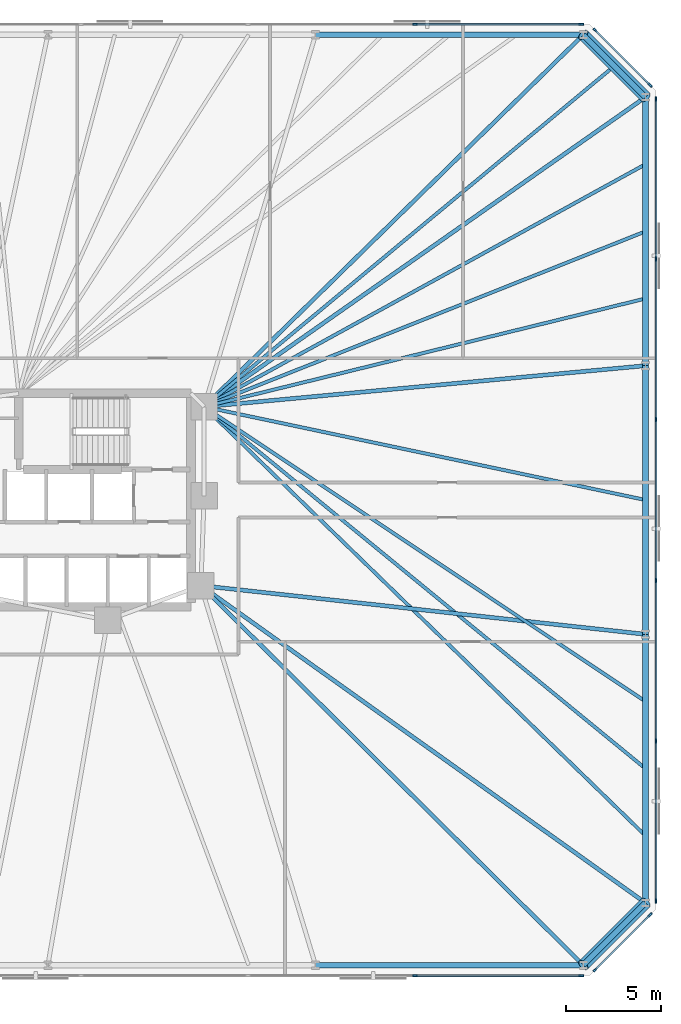
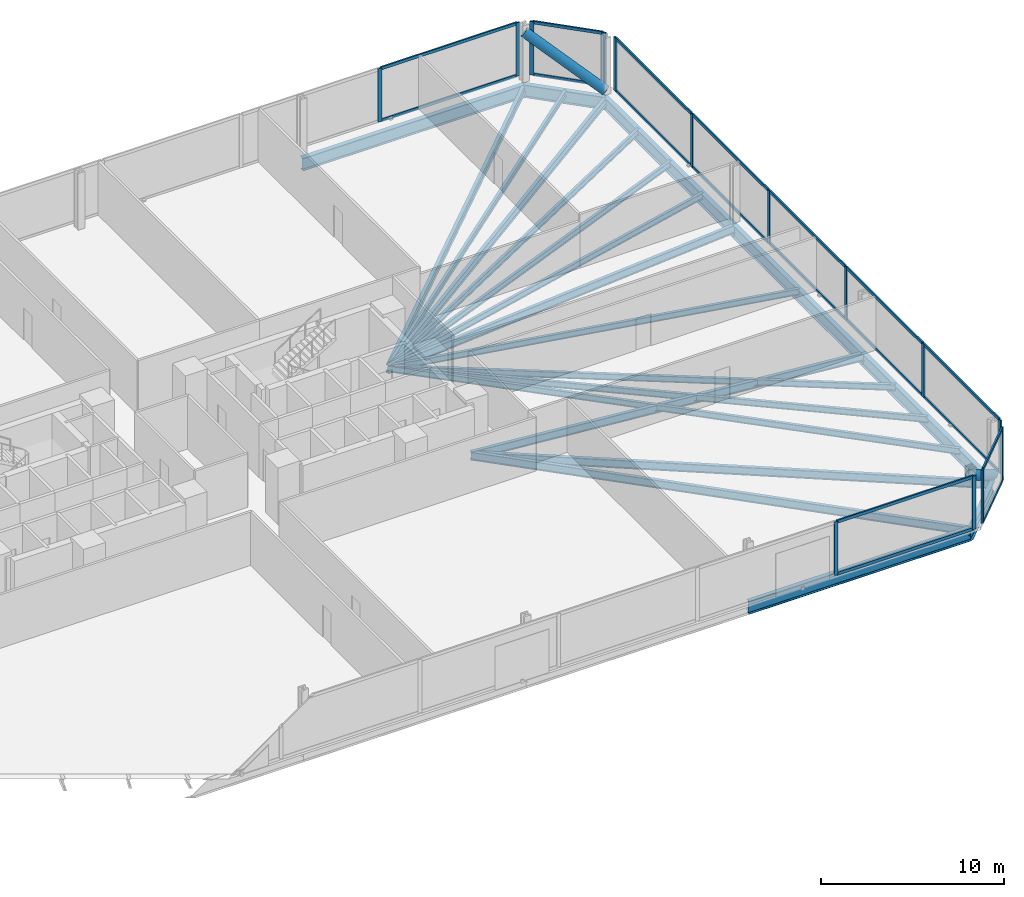
# One storey, part 10 of 16: 34 members, 21 beams, 5 elements without a shape of their own.
"""IFC4 building model written with IfcOpenShell, lengths in metres."""

from ifc_helpers import new_model, si_unit, direction, frame, origin, origin_2d, place, context, subcontext, project, spatial, rectangle, hollow_circle, i_section, extrude, material, material_profile, profile_set, type_object, element, aggregate, save


model = new_model("IFC4")

# Units and contexts
model_context = context("Model", 3, precision=1e-05, world=origin(), true_north=direction((0.0, 1.0)))
body_context = subcontext(model_context, "Body", "Model", "MODEL_VIEW")
ifc_project = project(units=[si_unit("LENGTHUNIT", "METRE"), si_unit("AREAUNIT", "SQUARE_METRE"), si_unit("VOLUMEUNIT", "CUBIC_METRE"), si_unit("PLANEANGLEUNIT", "RADIAN"), si_unit("MASSUNIT", "GRAM", prefix="KILO")], contexts=[model_context])

# Site, building, storey
site_placement = place(None, origin())
site = spatial("IfcSite", under=ifc_project, at=site_placement, CompositionType="ELEMENT")
building_placement = place(site_placement, origin())
building = spatial("IfcBuilding", under=site, at=building_placement, Name="Menara Jurai Vektor", CompositionType="ELEMENT")
storey_placement = place(building_placement, frame((0.0, 0.0, 59.800048828125)))
storey = spatial("IfcBuildingStorey", under=building, at=storey_placement, Name="L14", CompositionType="ELEMENT", Elevation=59.800048828125)

# Curtain wall, members
ifc_material_1 = material(Name="Anodised Pale Aluminium & Low-E Double Glazing", Category="aluminium")
curtain_wall_type = type_object("IfcCurtainWallType", Name="CW-BLK1", PredefinedType="NOTDEFINED", material=ifc_material_1)
curtain_wall_1_placement = place(storey_placement, origin())
curtain_wall_1 = element("IfcCurtainWall", 1, at=curtain_wall_1_placement, inside=storey, type_object=curtain_wall_type, Name="Unitised Curtain Wall L14 F01", PredefinedType="NOTDEFINED")
ifc_material_2 = material(Name="Anodised Pale Aluminium Mullion", Category="aluminium")
ifc_material_profile_1 = material_profile(ifc_material_2, rectangle(XDim=0.094970703125, YDim=0.239990234375, at=origin_2d()), Name="ALU MUL 95x240")
ifc_profile_set_1 = profile_set([ifc_material_profile_1], Name="Anodised Pale Aluminium Mullion")
member_type_1 = type_object("IfcMemberType", Name="CW-BLK1-MUL", PredefinedType="MULLION", material=ifc_profile_set_1)
member_1_placement = place(storey_placement, frame((26.340087890625, -25.0, 0.0), z_axis=(0.0, 0.0, 1.0), x_axis=(0.0, 1.0, 0.0)))
member_1 = element("IfcMember", 2, at=member_1_placement, type_object=member_type_1, Name="CW-01 mullion 8", PredefinedType="MULLION", context=body_context, shape_type="SweptSolid", body=[
    extrude(rectangle(XDim=0.094970703125, YDim=0.239990234375, at=origin_2d()), origin(), (0.0, 0.0, 1.0), 3.574951171875),
])
member_2_placement = place(storey_placement, frame((35.072509765625, -25.0, 0.0), z_axis=(0.0, 0.0, 1.0), x_axis=(0.0, 1.0, 0.0)))
member_2 = element("IfcMember", 3, at=member_2_placement, type_object=member_type_1, Name="CW-01 mullion 9", PredefinedType="MULLION", context=body_context, shape_type="SweptSolid", body=[
    extrude(rectangle(XDim=0.094970703125, YDim=0.239990234375, at=origin_2d()), origin(), (0.0, 0.0, 1.0), 3.574951171875),
])

curtain_wall_2_placement = place(storey_placement, origin())
curtain_wall_2 = element("IfcCurtainWall", 4, at=curtain_wall_2_placement, inside=storey, type_object=curtain_wall_type, Name="Unitised Curtain Wall L14 F02", PredefinedType="NOTDEFINED")
member_3_placement = place(storey_placement, frame((35.80224609375, -24.69775390625, 0.0), z_axis=(0.0, 0.0, 1.0), x_axis=(-0.707106781187, 0.707106781187, 0.0)))
member_3 = element("IfcMember", 5, at=member_3_placement, type_object=member_type_1, Name="CW-01 mullion 1", PredefinedType="MULLION", context=body_context, shape_type="SweptSolid", body=[
    extrude(rectangle(XDim=0.094970703125, YDim=0.239990234375, at=origin_2d()), origin(), (0.0, 0.0, 1.0), 3.574951171875),
])
member_4_placement = place(storey_placement, frame((38.69775390625, -21.80224609375, 0.0), z_axis=(0.0, 0.0, 1.0), x_axis=(-0.707106781187, 0.707106781187, 0.0)))
member_4 = element("IfcMember", 6, at=member_4_placement, type_object=member_type_1, Name="CW-01 mullion 2", PredefinedType="MULLION", context=body_context, shape_type="SweptSolid", body=[
    extrude(rectangle(XDim=0.094970703125, YDim=0.239990234375, at=origin_2d()), origin(), (0.0, 0.0, 1.0), 3.574951171875),
])

curtain_wall_3_placement = place(storey_placement, origin())
curtain_wall_3 = element("IfcCurtainWall", 7, at=curtain_wall_3_placement, inside=storey, type_object=curtain_wall_type, Name="Unitised Curtain Wall L14 F03", PredefinedType="NOTDEFINED")
member_5_placement = place(storey_placement, frame((39.0, -21.072509765625, 0.0), z_axis=(0.0, 0.0, 1.0), x_axis=(-1.0, 0.0, 0.0)))
member_5 = element("IfcMember", 8, at=member_5_placement, type_object=member_type_1, Name="CW-01 mullion 1", PredefinedType="MULLION", context=body_context, shape_type="SweptSolid", body=[
    extrude(rectangle(XDim=0.094970703125, YDim=0.239990234375, at=origin_2d()), origin(), (0.0, 0.0, 1.0), 3.574951171875),
])
member_6_placement = place(storey_placement, frame((39.0, -12.672119140625, 0.0), z_axis=(0.0, 0.0, 1.0), x_axis=(-1.0, 0.0, 0.0)))
member_6 = element("IfcMember", 9, at=member_6_placement, type_object=member_type_1, Name="CW-01 mullion 2", PredefinedType="MULLION", context=body_context, shape_type="SweptSolid", body=[
    extrude(rectangle(XDim=0.094970703125, YDim=0.239990234375, at=origin_2d()), origin(), (0.0, 0.0, 1.0), 3.574951171875),
])
member_7_placement = place(storey_placement, frame((39.0, -4.22412109375, 0.0), z_axis=(0.0, 0.0, 1.0), x_axis=(-1.0, 0.0, 0.0)))
member_7 = element("IfcMember", 10, at=member_7_placement, type_object=member_type_1, Name="CW-01 mullion 3", PredefinedType="MULLION", context=body_context, shape_type="SweptSolid", body=[
    extrude(rectangle(XDim=0.094970703125, YDim=0.239990234375, at=origin_2d()), origin(), (0.0, 0.0, 1.0), 3.574951171875),
])
member_8_placement = place(storey_placement, frame((39.0, 4.22412109375, 0.0), z_axis=(0.0, 0.0, 1.0), x_axis=(-1.0, 0.0, 0.0)))
member_8 = element("IfcMember", 11, at=member_8_placement, type_object=member_type_1, Name="CW-01 mullion 4", PredefinedType="MULLION", context=body_context, shape_type="SweptSolid", body=[
    extrude(rectangle(XDim=0.094970703125, YDim=0.239990234375, at=origin_2d()), origin(), (0.0, 0.0, 1.0), 3.574951171875),
])
member_9_placement = place(storey_placement, frame((39.0, 12.672119140625, 0.0), z_axis=(0.0, 0.0, 1.0), x_axis=(-1.0, 0.0, 0.0)))
member_9 = element("IfcMember", 12, at=member_9_placement, type_object=member_type_1, Name="CW-01 mullion 5", PredefinedType="MULLION", context=body_context, shape_type="SweptSolid", body=[
    extrude(rectangle(XDim=0.094970703125, YDim=0.239990234375, at=origin_2d()), origin(), (0.0, 0.0, 1.0), 3.574951171875),
])
member_10_placement = place(storey_placement, frame((39.0, 21.072509765625, 0.0), z_axis=(0.0, 0.0, 1.0), x_axis=(-1.0, 0.0, 0.0)))
member_10 = element("IfcMember", 13, at=member_10_placement, type_object=member_type_1, Name="CW-01 mullion 6", PredefinedType="MULLION", context=body_context, shape_type="SweptSolid", body=[
    extrude(rectangle(XDim=0.094970703125, YDim=0.239990234375, at=origin_2d()), origin(), (0.0, 0.0, 1.0), 3.574951171875),
])

curtain_wall_4_placement = place(storey_placement, origin())
curtain_wall_4 = element("IfcCurtainWall", 14, at=curtain_wall_4_placement, inside=storey, type_object=curtain_wall_type, Name="Unitised Curtain Wall L14 F04", PredefinedType="NOTDEFINED")
member_11_placement = place(storey_placement, frame((38.69775390625, 21.80224609375, 0.0), z_axis=(0.0, 0.0, 1.0), x_axis=(-0.707106781187, -0.707106781187, 0.0)))
member_11 = element("IfcMember", 15, at=member_11_placement, type_object=member_type_1, Name="CW-01 mullion 1", PredefinedType="MULLION", context=body_context, shape_type="SweptSolid", body=[
    extrude(rectangle(XDim=0.094970703125, YDim=0.239990234375, at=origin_2d()), origin(), (0.0, 0.0, 1.0), 3.574951171875),
])
member_12_placement = place(storey_placement, frame((35.80224609375, 24.69775390625, 0.0), z_axis=(0.0, 0.0, 1.0), x_axis=(-0.707106781187, -0.707106781187, 0.0)))
member_12 = element("IfcMember", 16, at=member_12_placement, type_object=member_type_1, Name="CW-01 mullion 2", PredefinedType="MULLION", context=body_context, shape_type="SweptSolid", body=[
    extrude(rectangle(XDim=0.094970703125, YDim=0.239990234375, at=origin_2d()), origin(), (0.0, 0.0, 1.0), 3.574951171875),
])

curtain_wall_5_placement = place(storey_placement, origin())
curtain_wall_5 = element("IfcCurtainWall", 17, at=curtain_wall_5_placement, inside=storey, type_object=curtain_wall_type, Name="Unitised Curtain Wall L14 F05", PredefinedType="NOTDEFINED")
member_13_placement = place(storey_placement, frame((35.072509765625, 25.0, 0.0), z_axis=(0.0, 0.0, 1.0), x_axis=(0.0, -1.0, 0.0)))
member_13 = element("IfcMember", 18, at=member_13_placement, type_object=member_type_1, Name="CW-01 mullion 1", PredefinedType="MULLION", context=body_context, shape_type="SweptSolid", body=[
    extrude(rectangle(XDim=0.094970703125, YDim=0.239990234375, at=origin_2d()), origin(), (0.0, 0.0, 1.0), 3.574951171875),
])
member_14_placement = place(storey_placement, frame((26.340087890625, 25.0, 0.0), z_axis=(0.0, 0.0, 1.0), x_axis=(0.0, -1.0, 0.0)))
member_14 = element("IfcMember", 19, at=member_14_placement, type_object=member_type_1, Name="CW-01 mullion 2", PredefinedType="MULLION", context=body_context, shape_type="SweptSolid", body=[
    extrude(rectangle(XDim=0.094970703125, YDim=0.239990234375, at=origin_2d()), origin(), (0.0, 0.0, 1.0), 3.574951171875),
])

# Member
ifc_material_3 = material(Name="Anodised Pale Aluminium Transom", Category="aluminium")
ifc_material_profile_2 = material_profile(ifc_material_3, rectangle(XDim=0.094970703125, YDim=0.199951171875, at=origin_2d()), Name="ALU TRN 95x200")
ifc_profile_set_2 = profile_set([ifc_material_profile_2], Name="Anodised Pale Aluminium Transom")
member_type_2 = type_object("IfcMemberType", Name="CW-BLK1-TRN", PredefinedType="USERDEFINED", material=ifc_profile_set_2)
member_15_placement = place(storey_placement, frame((26.387451171875, -25.0, 0.04736328125), z_axis=(1.0, 0.0, 0.0), x_axis=(0.0, 1.0, 0.0)))
member_15 = element("IfcMember", 20, at=member_15_placement, type_object=member_type_2, Name="CW-01 transom 8.1", ObjectType="TRANSOM", PredefinedType="USERDEFINED", context=body_context, shape_type="SweptSolid", body=[
    extrude(rectangle(XDim=0.094970703125, YDim=0.199951171875, at=origin_2d()), origin(), (0.0, 0.0, 1.0), 8.637451171875),
])

member_16_placement = place(storey_placement, frame((26.387451171875, -25.0, 3.52734375), z_axis=(1.0, 0.0, 0.0), x_axis=(0.0, 1.0, 0.0)))
member_16 = element("IfcMember", 21, at=member_16_placement, type_object=member_type_2, Name="CW-01 transom 8.2", ObjectType="TRANSOM", PredefinedType="USERDEFINED", context=body_context, shape_type="SweptSolid", body=[
    extrude(rectangle(XDim=0.094970703125, YDim=0.199951171875, at=origin_2d()), origin(), (0.0, 0.0, 1.0), 8.637451171875),
])

aggregate(curtain_wall_1, [member_1, member_2, member_15, member_16])

member_17_placement = place(storey_placement, frame((35.8359375, -24.6640625, 0.04736328125), z_axis=(0.707106781187, 0.707106781187, 0.0), x_axis=(-0.707106781187, 0.707106781187, 0.0)))
member_17 = element("IfcMember", 22, at=member_17_placement, type_object=member_type_2, Name="CW-01 transom 1.1", ObjectType="TRANSOM", PredefinedType="USERDEFINED", context=body_context, shape_type="SweptSolid", body=[
    extrude(rectangle(XDim=0.094970703125, YDim=0.199951171875, at=origin_2d()), origin(), (0.0, 0.0, 1.0), 3.99951171875),
])

member_18_placement = place(storey_placement, frame((35.8359375, -24.6640625, 3.52734375), z_axis=(0.707106781187, 0.707106781187, 0.0), x_axis=(-0.707106781187, 0.707106781187, 0.0)))
member_18 = element("IfcMember", 23, at=member_18_placement, type_object=member_type_2, Name="CW-01 transom 1.2", ObjectType="TRANSOM", PredefinedType="USERDEFINED", context=body_context, shape_type="SweptSolid", body=[
    extrude(rectangle(XDim=0.094970703125, YDim=0.199951171875, at=origin_2d()), origin(), (0.0, 0.0, 1.0), 3.99951171875),
])

aggregate(curtain_wall_2, [member_3, member_4, member_17, member_18])

member_19_placement = place(storey_placement, frame((39.0, -21.02490234375, 0.04736328125), z_axis=(0.0, 1.0, 0.0), x_axis=(-1.0, 0.0, 0.0)))
member_19 = element("IfcMember", 24, at=member_19_placement, type_object=member_type_2, Name="CW-01 transom 1.1", ObjectType="TRANSOM", PredefinedType="USERDEFINED", context=body_context, shape_type="SweptSolid", body=[
    extrude(rectangle(XDim=0.094970703125, YDim=0.199951171875, at=origin_2d()), origin(), (0.0, 0.0, 1.0), 8.305419921875),
])

member_20_placement = place(storey_placement, frame((39.0, -21.02490234375, 3.52734375), z_axis=(0.0, 1.0, 0.0), x_axis=(-1.0, 0.0, 0.0)))
member_20 = element("IfcMember", 25, at=member_20_placement, type_object=member_type_2, Name="CW-01 transom 1.2", ObjectType="TRANSOM", PredefinedType="USERDEFINED", context=body_context, shape_type="SweptSolid", body=[
    extrude(rectangle(XDim=0.094970703125, YDim=0.199951171875, at=origin_2d()), origin(), (0.0, 0.0, 1.0), 8.305419921875),
])

member_21_placement = place(storey_placement, frame((39.0, -12.62451171875, 0.04736328125), z_axis=(0.0, 1.0, 0.0), x_axis=(-1.0, 0.0, 0.0)))
member_21 = element("IfcMember", 26, at=member_21_placement, type_object=member_type_2, Name="CW-01 transom 2.1", ObjectType="TRANSOM", PredefinedType="USERDEFINED", context=body_context, shape_type="SweptSolid", body=[
    extrude(rectangle(XDim=0.094970703125, YDim=0.199951171875, at=origin_2d()), origin(), (0.0, 0.0, 1.0), 8.35302734375),
])

member_22_placement = place(storey_placement, frame((39.0, -12.62451171875, 3.52734375), z_axis=(0.0, 1.0, 0.0), x_axis=(-1.0, 0.0, 0.0)))
member_22 = element("IfcMember", 27, at=member_22_placement, type_object=member_type_2, Name="CW-01 transom 2.2", ObjectType="TRANSOM", PredefinedType="USERDEFINED", context=body_context, shape_type="SweptSolid", body=[
    extrude(rectangle(XDim=0.094970703125, YDim=0.199951171875, at=origin_2d()), origin(), (0.0, 0.0, 1.0), 8.35302734375),
])

member_23_placement = place(storey_placement, frame((39.0, -4.176513671875, 0.04736328125), z_axis=(0.0, 1.0, 0.0), x_axis=(-1.0, 0.0, 0.0)))
member_23 = element("IfcMember", 28, at=member_23_placement, type_object=member_type_2, Name="CW-01 transom 3.1", ObjectType="TRANSOM", PredefinedType="USERDEFINED", context=body_context, shape_type="SweptSolid", body=[
    extrude(rectangle(XDim=0.094970703125, YDim=0.199951171875, at=origin_2d()), origin(), (0.0, 0.0, 1.0), 8.35302734375),
])

member_24_placement = place(storey_placement, frame((39.0, -4.176513671875, 3.52734375), z_axis=(0.0, 1.0, 0.0), x_axis=(-1.0, 0.0, 0.0)))
member_24 = element("IfcMember", 29, at=member_24_placement, type_object=member_type_2, Name="CW-01 transom 3.2", ObjectType="TRANSOM", PredefinedType="USERDEFINED", context=body_context, shape_type="SweptSolid", body=[
    extrude(rectangle(XDim=0.094970703125, YDim=0.199951171875, at=origin_2d()), origin(), (0.0, 0.0, 1.0), 8.35302734375),
])

member_25_placement = place(storey_placement, frame((39.0, 4.271484375, 0.04736328125), z_axis=(0.0, 1.0, 0.0), x_axis=(-1.0, 0.0, 0.0)))
member_25 = element("IfcMember", 30, at=member_25_placement, type_object=member_type_2, Name="CW-01 transom 4.1", ObjectType="TRANSOM", PredefinedType="USERDEFINED", context=body_context, shape_type="SweptSolid", body=[
    extrude(rectangle(XDim=0.094970703125, YDim=0.199951171875, at=origin_2d()), origin(), (0.0, 0.0, 1.0), 8.35302734375),
])

member_26_placement = place(storey_placement, frame((39.0, 4.271484375, 3.52734375), z_axis=(0.0, 1.0, 0.0), x_axis=(-1.0, 0.0, 0.0)))
member_26 = element("IfcMember", 31, at=member_26_placement, type_object=member_type_2, Name="CW-01 transom 4.2", ObjectType="TRANSOM", PredefinedType="USERDEFINED", context=body_context, shape_type="SweptSolid", body=[
    extrude(rectangle(XDim=0.094970703125, YDim=0.199951171875, at=origin_2d()), origin(), (0.0, 0.0, 1.0), 8.35302734375),
])

member_27_placement = place(storey_placement, frame((39.0, 12.719482421875, 0.04736328125), z_axis=(0.0, 1.0, 0.0), x_axis=(-1.0, 0.0, 0.0)))
member_27 = element("IfcMember", 32, at=member_27_placement, type_object=member_type_2, Name="CW-01 transom 5.1", ObjectType="TRANSOM", PredefinedType="USERDEFINED", context=body_context, shape_type="SweptSolid", body=[
    extrude(rectangle(XDim=0.094970703125, YDim=0.199951171875, at=origin_2d()), origin(), (0.0, 0.0, 1.0), 8.305419921875),
])

member_28_placement = place(storey_placement, frame((39.0, 12.719482421875, 3.52734375), z_axis=(0.0, 1.0, 0.0), x_axis=(-1.0, 0.0, 0.0)))
member_28 = element("IfcMember", 33, at=member_28_placement, type_object=member_type_2, Name="CW-01 transom 5.2", ObjectType="TRANSOM", PredefinedType="USERDEFINED", context=body_context, shape_type="SweptSolid", body=[
    extrude(rectangle(XDim=0.094970703125, YDim=0.199951171875, at=origin_2d()), origin(), (0.0, 0.0, 1.0), 8.305419921875),
])

aggregate(curtain_wall_3, [member_5, member_6, member_7, member_8, member_9, member_10, member_19, member_20, member_21, member_22, member_23, member_24, member_25, member_26, member_27, member_28])

member_29_placement = place(storey_placement, frame((38.6640625, 21.8359375, 0.04736328125), z_axis=(-0.707106781187, 0.707106781187, 0.0), x_axis=(-0.707106781187, -0.707106781187, 0.0)))
member_29 = element("IfcMember", 34, at=member_29_placement, type_object=member_type_2, Name="CW-01 transom 1.1", ObjectType="TRANSOM", PredefinedType="USERDEFINED", context=body_context, shape_type="SweptSolid", body=[
    extrude(rectangle(XDim=0.094970703125, YDim=0.199951171875, at=origin_2d()), origin(), (0.0, 0.0, 1.0), 3.99951171875),
])

member_30_placement = place(storey_placement, frame((38.6640625, 21.8359375, 3.52734375), z_axis=(-0.707106781187, 0.707106781187, 0.0), x_axis=(-0.707106781187, -0.707106781187, 0.0)))
member_30 = element("IfcMember", 35, at=member_30_placement, type_object=member_type_2, Name="CW-01 transom 1.2", ObjectType="TRANSOM", PredefinedType="USERDEFINED", context=body_context, shape_type="SweptSolid", body=[
    extrude(rectangle(XDim=0.094970703125, YDim=0.199951171875, at=origin_2d()), origin(), (0.0, 0.0, 1.0), 3.99951171875),
])

aggregate(curtain_wall_4, [member_11, member_12, member_29, member_30])

member_31_placement = place(storey_placement, frame((35.02490234375, 25.0, 0.04736328125), z_axis=(-1.0, 0.0, 0.0), x_axis=(0.0, -1.0, 0.0)))
member_31 = element("IfcMember", 36, at=member_31_placement, type_object=member_type_2, Name="CW-01 transom 1.1", ObjectType="TRANSOM", PredefinedType="USERDEFINED", context=body_context, shape_type="SweptSolid", body=[
    extrude(rectangle(XDim=0.094970703125, YDim=0.199951171875, at=origin_2d()), origin(), (0.0, 0.0, 1.0), 8.637451171875),
])

member_32_placement = place(storey_placement, frame((35.02490234375, 25.0, 3.52734375), z_axis=(-1.0, 0.0, 0.0), x_axis=(0.0, -1.0, 0.0)))
member_32 = element("IfcMember", 37, at=member_32_placement, type_object=member_type_2, Name="CW-01 transom 1.2", ObjectType="TRANSOM", PredefinedType="USERDEFINED", context=body_context, shape_type="SweptSolid", body=[
    extrude(rectangle(XDim=0.094970703125, YDim=0.199951171875, at=origin_2d()), origin(), (0.0, 0.0, 1.0), 8.637451171875),
])

aggregate(curtain_wall_5, [member_13, member_14, member_31, member_32])

# Beams
ifc_material_4 = material(Name="Steel S355", Category="steel")
ifc_material_profile_3 = material_profile(ifc_material_4, i_section(OverallWidth=0.2109375, OverallDepth=0.5390625, WebThickness=0.011962890625, FlangeThickness=0.01904296875, FilletRadius=0.012939453125, at=origin_2d()), Name="UKB 533x210x109")
ifc_profile_set_3 = profile_set([ifc_material_profile_3], Name="Steel S355")
beam_type_1 = type_object("IfcBeamType", Name="STR-BM-533", PredefinedType="BEAM", material=ifc_profile_set_3)
beam_1_placement = place(storey_placement, frame((35.177734375, -24.449951171875, -0.49462890625), z_axis=(-0.709709931659, 0.704494011972, 0.0), x_axis=(-0.704494011972, -0.709709931659, 0.0)))
element("IfcBeam", 38, at=beam_1_placement, inside=storey, type_object=beam_type_1, Name="Radial Floor Girder L14-S6", PredefinedType="BEAM", context=body_context, shape_type="SweptSolid", body=[
    extrude(i_section(OverallWidth=0.2109375, OverallDepth=0.5390625, WebThickness=0.011962890625, FlangeThickness=0.01904296875, FilletRadius=0.012939453125, at=origin_2d()), origin(), (0.0, 0.0, 1.0), 28.318115234375),
])
beam_2_placement = place(storey_placement, frame((38.449951171875, -21.177734375, -0.49462890625), z_axis=(-0.813981033216, 0.580891450759, 0.0), x_axis=(-0.580891450759, -0.813981033216, 0.0)))
element("IfcBeam", 39, at=beam_2_placement, inside=storey, type_object=beam_type_1, Name="Radial Floor Girder L14-E1", PredefinedType="BEAM", context=body_context, shape_type="SweptSolid", body=[
    extrude(i_section(OverallWidth=0.2109375, OverallDepth=0.5390625, WebThickness=0.011962890625, FlangeThickness=0.01904296875, FilletRadius=0.012939453125, at=origin_2d()), origin(), (0.0, 0.0, 1.0), 28.710693359375),
])
beam_3_placement = place(storey_placement, frame((38.449951171875, -7.059326171875, -0.49462890625), z_axis=(-0.994056757953, 0.108863042253, 0.0), x_axis=(-0.108863042253, -0.994056757953, 0.0)))
element("IfcBeam", 40, at=beam_3_placement, inside=storey, type_object=beam_type_1, Name="Radial Floor Girder L14-E2", PredefinedType="BEAM", context=body_context, shape_type="SweptSolid", body=[
    extrude(i_section(OverallWidth=0.2109375, OverallDepth=0.5390625, WebThickness=0.011962890625, FlangeThickness=0.01904296875, FilletRadius=0.012939453125, at=origin_2d()), origin(), (0.0, 0.0, 1.0), 23.509521484375),
])
beam_4_placement = place(storey_placement, frame((38.449951171875, 7.059326171875, -0.49462890625), z_axis=(-0.995696113112, -0.092678208514, 0.0), x_axis=(0.092678208514, -0.995696113112, 0.0)))
element("IfcBeam", 41, at=beam_4_placement, inside=storey, type_object=beam_type_1, Name="Radial Floor Girder L14-E3", PredefinedType="BEAM", context=body_context, shape_type="SweptSolid", body=[
    extrude(i_section(OverallWidth=0.2109375, OverallDepth=0.5390625, WebThickness=0.011962890625, FlangeThickness=0.01904296875, FilletRadius=0.012939453125, at=origin_2d()), origin(), (0.0, 0.0, 1.0), 23.30029296875),
])
beam_5_placement = place(storey_placement, frame((38.449951171875, 21.177734375, -0.49462890625), z_axis=(-0.818603732445, -0.574358711283, 0.0), x_axis=(0.574358711283, -0.818603732445, 0.0)))
element("IfcBeam", 42, at=beam_5_placement, inside=storey, type_object=beam_type_1, Name="Radial Floor Girder L14-E4", PredefinedType="BEAM", context=body_context, shape_type="SweptSolid", body=[
    extrude(i_section(OverallWidth=0.2109375, OverallDepth=0.5390625, WebThickness=0.011962890625, FlangeThickness=0.01904296875, FilletRadius=0.012939453125, at=origin_2d()), origin(), (0.0, 0.0, 1.0), 28.3408203125),
])
beam_6_placement = place(storey_placement, frame((35.177734375, 24.449951171875, -0.49462890625), z_axis=(-0.713839032855, -0.700309813706, 0.0), x_axis=(0.700309813706, -0.713839032855, 0.0)))
element("IfcBeam", 43, at=beam_6_placement, inside=storey, type_object=beam_type_1, Name="Radial Floor Girder L14-N1", PredefinedType="BEAM", context=body_context, shape_type="SweptSolid", body=[
    extrude(i_section(OverallWidth=0.2109375, OverallDepth=0.5390625, WebThickness=0.011962890625, FlangeThickness=0.01904296875, FilletRadius=0.012939453125, at=origin_2d()), origin(), (0.0, 0.0, 1.0), 27.916259765625),
])

# Members
ifc_material_5 = material(Name="Steel S460", Category="steel")
ifc_material_profile_4 = material_profile(ifc_material_5, hollow_circle(Radius=0.304931640625, WallThickness=0.02490234375, at=origin_2d()), Name="CHS 610x25")
ifc_profile_set_4 = profile_set([ifc_material_profile_4], Name="Steel S460")
member_type_3 = type_object("IfcMemberType", Name="STR-BR-610", PredefinedType="BRACE", material=ifc_profile_set_4)
for number, where, z_axis, x_axis, name in (
    (44, (38.449951171875, -21.177734375, 0.14990234375), (-0.588942422958, -0.588942422958, 0.553438022619), (0.707106781187, -0.707106781187, 0.0), "Exoskeleton Corner Brace L14-1"),
    (45, (38.449951171875, 21.177734375, 0.14990234375), (-0.588942422958, 0.588942422958, 0.553438022619), (-0.707106781187, -0.707106781187, 0.0), "Exoskeleton Corner Brace L14-2"),
):
    element("IfcMember", number, at=place(storey_placement, frame(where, z_axis=z_axis, x_axis=x_axis)), inside=storey, type_object=member_type_3, Name=name, PredefinedType="BRACE", context=body_context, shape_type="SweptSolid", body=[
        extrude(hollow_circle(Radius=0.304931640625, WallThickness=0.02490234375, at=origin_2d()), origin(), (0.0, 0.0, 1.0), 5.55615234375),
    ])

# Beams
ifc_material_profile_5 = material_profile(ifc_material_4, i_section(OverallWidth=0.178955078125, OverallDepth=0.408935546875, WebThickness=0.009033203125, FlangeThickness=0.013916015625, FilletRadius=0.010009765625, at=origin_2d()), Name="UKB 406x178x67")
ifc_profile_set_5 = profile_set([ifc_material_profile_5], Name="Steel S355")
beam_type_2 = type_object("IfcBeamType", Name="STR-JS-406", PredefinedType="JOIST", material=ifc_profile_set_5)
beam_7_placement = place(storey_placement, frame((38.449951171875, -17.648193359375, -0.429443359375), z_axis=(-0.71710942187, 0.696960599363, 0.0), x_axis=(-0.696960599363, -0.71710942187, 0.0)))
element("IfcBeam", 46, at=beam_7_placement, inside=storey, type_object=beam_type_2, Name="Radial Secondary Floor Joist L14-JS08", PredefinedType="JOIST", context=body_context, shape_type="SweptSolid", body=[
    extrude(i_section(OverallWidth=0.178955078125, OverallDepth=0.408935546875, WebThickness=0.009033203125, FlangeThickness=0.013916015625, FilletRadius=0.010009765625, at=origin_2d()), origin(), (0.0, 0.0, 1.0), 32.35205078125),
])
beam_8_placement = place(storey_placement, frame((38.449951171875, -14.118408203125, -0.429443359375), z_axis=(-0.773360118456, 0.633966976413, 0.0), x_axis=(-0.633966976413, -0.773360118456, 0.0)))
element("IfcBeam", 47, at=beam_8_placement, inside=storey, type_object=beam_type_2, Name="Radial Secondary Floor Joist L14-JS09", PredefinedType="JOIST", context=body_context, shape_type="SweptSolid", body=[
    extrude(i_section(OverallWidth=0.178955078125, OverallDepth=0.408935546875, WebThickness=0.009033203125, FlangeThickness=0.013916015625, FilletRadius=0.010009765625, at=origin_2d()), origin(), (0.0, 0.0, 1.0), 29.998779296875),
])
beam_9_placement = place(storey_placement, frame((38.449951171875, -10.5888671875, -0.429443359375), z_axis=(-0.831683872109, 0.555249436627, 0.0), x_axis=(-0.555249436627, -0.831683872109, 0.0)))
element("IfcBeam", 48, at=beam_9_placement, inside=storey, type_object=beam_type_2, Name="Radial Secondary Floor Joist L14-JS10", PredefinedType="JOIST", context=body_context, shape_type="SweptSolid", body=[
    extrude(i_section(OverallWidth=0.178955078125, OverallDepth=0.408935546875, WebThickness=0.009033203125, FlangeThickness=0.013916015625, FilletRadius=0.010009765625, at=origin_2d()), origin(), (0.0, 0.0, 1.0), 27.895263671875),
])
beam_10_placement = place(storey_placement, frame((38.449951171875, 0.0, -0.429443359375), z_axis=(-0.978416084102, 0.206644541109, 0.0), x_axis=(-0.206644541109, -0.978416084102, 0.0)))
element("IfcBeam", 49, at=beam_10_placement, inside=storey, type_object=beam_type_2, Name="Radial Secondary Floor Joist L14-JS11", PredefinedType="JOIST", context=body_context, shape_type="SweptSolid", body=[
    extrude(i_section(OverallWidth=0.178955078125, OverallDepth=0.408935546875, WebThickness=0.009033203125, FlangeThickness=0.013916015625, FilletRadius=0.010009765625, at=origin_2d()), origin(), (0.0, 0.0, 1.0), 23.711669921875),
])
beam_11_placement = place(storey_placement, frame((38.449951171875, 10.5888671875, -0.429443359375), z_axis=(-0.971226234641, -0.238158772976, 0.0), x_axis=(0.238158772976, -0.971226234641, 0.0)))
element("IfcBeam", 50, at=beam_11_placement, inside=storey, type_object=beam_type_2, Name="Radial Secondary Floor Joist L14-JS12", PredefinedType="JOIST", context=body_context, shape_type="SweptSolid", body=[
    extrude(i_section(OverallWidth=0.178955078125, OverallDepth=0.408935546875, WebThickness=0.009033203125, FlangeThickness=0.013916015625, FilletRadius=0.010009765625, at=origin_2d()), origin(), (0.0, 0.0, 1.0), 23.88720703125),
])
beam_12_placement = place(storey_placement, frame((38.449951171875, 14.118408203125, -0.429443359375), z_axis=(-0.929323400723, -0.369266864027, 0.0), x_axis=(0.369266864027, -0.929323400723, 0.0)))
element("IfcBeam", 51, at=beam_12_placement, inside=storey, type_object=beam_type_2, Name="Radial Secondary Floor Joist L14-JS13", PredefinedType="JOIST", context=body_context, shape_type="SweptSolid", body=[
    extrude(i_section(OverallWidth=0.178955078125, OverallDepth=0.408935546875, WebThickness=0.009033203125, FlangeThickness=0.013916015625, FilletRadius=0.010009765625, at=origin_2d()), origin(), (0.0, 0.0, 1.0), 24.96435546875),
])
beam_13_placement = place(storey_placement, frame((38.449951171875, 17.648193359375, -0.429443359375), z_axis=(-0.87640219057, -0.481579900291, 0.0), x_axis=(0.481579900291, -0.87640219057, 0.0)))
element("IfcBeam", 52, at=beam_13_placement, inside=storey, type_object=beam_type_2, Name="Radial Secondary Floor Joist L14-JS14", PredefinedType="JOIST", context=body_context, shape_type="SweptSolid", body=[
    extrude(i_section(OverallWidth=0.178955078125, OverallDepth=0.408935546875, WebThickness=0.009033203125, FlangeThickness=0.013916015625, FilletRadius=0.010009765625, at=origin_2d()), origin(), (0.0, 0.0, 1.0), 26.471923828125),
])
beam_14_placement = place(storey_placement, frame((36.81396484375, 22.81396484375, -0.429443359375), z_axis=(-0.769201173096, -0.639006694259, 0.0), x_axis=(0.639006694259, -0.769201173096, 0.0)))
element("IfcBeam", 53, at=beam_14_placement, inside=storey, type_object=beam_type_2, Name="Radial Secondary Floor Joist L14-JS15", PredefinedType="JOIST", context=body_context, shape_type="SweptSolid", body=[
    extrude(i_section(OverallWidth=0.178955078125, OverallDepth=0.408935546875, WebThickness=0.009033203125, FlangeThickness=0.013916015625, FilletRadius=0.010009765625, at=origin_2d()), origin(), (0.0, 0.0, 1.0), 28.0341796875),
])
ifc_material_profile_6 = material_profile(ifc_material_5, i_section(OverallWidth=0.2939453125, OverallDepth=0.85107421875, WebThickness=0.01611328125, FlangeThickness=0.027099609375, FilletRadius=0.01806640625, at=origin_2d()), Name="UKB 838x292x226")
ifc_profile_set_6 = profile_set([ifc_material_profile_6], Name="Steel S460")
beam_type_3 = type_object("IfcBeamType", Name="STR-SP-838", PredefinedType="SPANDREL", material=ifc_profile_set_6)
beam_15_placement = place(storey_placement, frame((21.106689453125, -24.449951171875, -0.650634765625), z_axis=(1.0, 0.0, 0.0), x_axis=(0.0, 1.0, 0.0)))
element("IfcBeam", 54, at=beam_15_placement, inside=storey, type_object=beam_type_3, Name="Exoskeleton Spandrel Beam L14-05", PredefinedType="SPANDREL", context=body_context, shape_type="SweptSolid", body=[
    extrude(i_section(OverallWidth=0.2939453125, OverallDepth=0.85107421875, WebThickness=0.01611328125, FlangeThickness=0.027099609375, FilletRadius=0.01806640625, at=origin_2d()), origin(), (0.0, 0.0, 1.0), 14.071044921875),
])
beam_16_placement = place(storey_placement, frame((35.177734375, -24.449951171875, -0.650634765625), z_axis=(0.707106781187, 0.707106781187, 0.0), x_axis=(-0.707106781187, 0.707106781187, 0.0)))
element("IfcBeam", 55, at=beam_16_placement, inside=storey, type_object=beam_type_3, Name="Exoskeleton Spandrel Beam L14-06", PredefinedType="SPANDREL", context=body_context, shape_type="SweptSolid", body=[
    extrude(i_section(OverallWidth=0.2939453125, OverallDepth=0.85107421875, WebThickness=0.01611328125, FlangeThickness=0.027099609375, FilletRadius=0.01806640625, at=origin_2d()), origin(), (0.0, 0.0, 1.0), 4.627685546875),
])
beam_17_placement = place(storey_placement, frame((38.449951171875, -21.177734375, -0.650634765625), z_axis=(0.0, 1.0, 0.0), x_axis=(-1.0, 0.0, 0.0)))
element("IfcBeam", 56, at=beam_17_placement, inside=storey, type_object=beam_type_3, Name="Exoskeleton Spandrel Beam L14-07", PredefinedType="SPANDREL", context=body_context, shape_type="SweptSolid", body=[
    extrude(i_section(OverallWidth=0.2939453125, OverallDepth=0.85107421875, WebThickness=0.01611328125, FlangeThickness=0.027099609375, FilletRadius=0.01806640625, at=origin_2d()), origin(), (0.0, 0.0, 1.0), 14.118408203125),
])
beam_18_placement = place(storey_placement, frame((38.449951171875, -7.059326171875, -0.650634765625), z_axis=(0.0, 1.0, 0.0), x_axis=(-1.0, 0.0, 0.0)))
element("IfcBeam", 57, at=beam_18_placement, inside=storey, type_object=beam_type_3, Name="Exoskeleton Spandrel Beam L14-08", PredefinedType="SPANDREL", context=body_context, shape_type="SweptSolid", body=[
    extrude(i_section(OverallWidth=0.2939453125, OverallDepth=0.85107421875, WebThickness=0.01611328125, FlangeThickness=0.027099609375, FilletRadius=0.01806640625, at=origin_2d()), origin(), (0.0, 0.0, 1.0), 14.11865234375),
])
beam_19_placement = place(storey_placement, frame((38.449951171875, 7.059326171875, -0.650634765625), z_axis=(0.0, 1.0, 0.0), x_axis=(-1.0, 0.0, 0.0)))
element("IfcBeam", 58, at=beam_19_placement, inside=storey, type_object=beam_type_3, Name="Exoskeleton Spandrel Beam L14-09", PredefinedType="SPANDREL", context=body_context, shape_type="SweptSolid", body=[
    extrude(i_section(OverallWidth=0.2939453125, OverallDepth=0.85107421875, WebThickness=0.01611328125, FlangeThickness=0.027099609375, FilletRadius=0.01806640625, at=origin_2d()), origin(), (0.0, 0.0, 1.0), 14.118408203125),
])
beam_20_placement = place(storey_placement, frame((38.449951171875, 21.177734375, -0.650634765625), z_axis=(-0.707106781187, 0.707106781187, 0.0), x_axis=(-0.707106781187, -0.707106781187, 0.0)))
element("IfcBeam", 59, at=beam_20_placement, inside=storey, type_object=beam_type_3, Name="Exoskeleton Spandrel Beam L14-10", PredefinedType="SPANDREL", context=body_context, shape_type="SweptSolid", body=[
    extrude(i_section(OverallWidth=0.2939453125, OverallDepth=0.85107421875, WebThickness=0.01611328125, FlangeThickness=0.027099609375, FilletRadius=0.01806640625, at=origin_2d()), origin(), (0.0, 0.0, 1.0), 4.627685546875),
])
beam_21_placement = place(storey_placement, frame((35.177734375, 24.449951171875, -0.650634765625), z_axis=(-1.0, 0.0, 0.0), x_axis=(0.0, -1.0, 0.0)))
element("IfcBeam", 60, at=beam_21_placement, inside=storey, type_object=beam_type_3, Name="Exoskeleton Spandrel Beam L14-11", PredefinedType="SPANDREL", context=body_context, shape_type="SweptSolid", body=[
    extrude(i_section(OverallWidth=0.2939453125, OverallDepth=0.85107421875, WebThickness=0.01611328125, FlangeThickness=0.027099609375, FilletRadius=0.01806640625, at=origin_2d()), origin(), (0.0, 0.0, 1.0), 14.071044921875),
])

save(model, "model.ifc")
